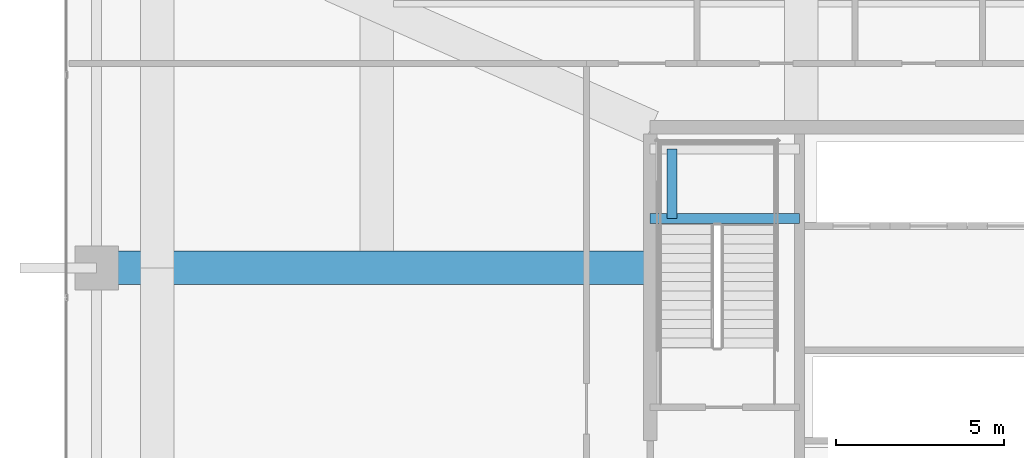
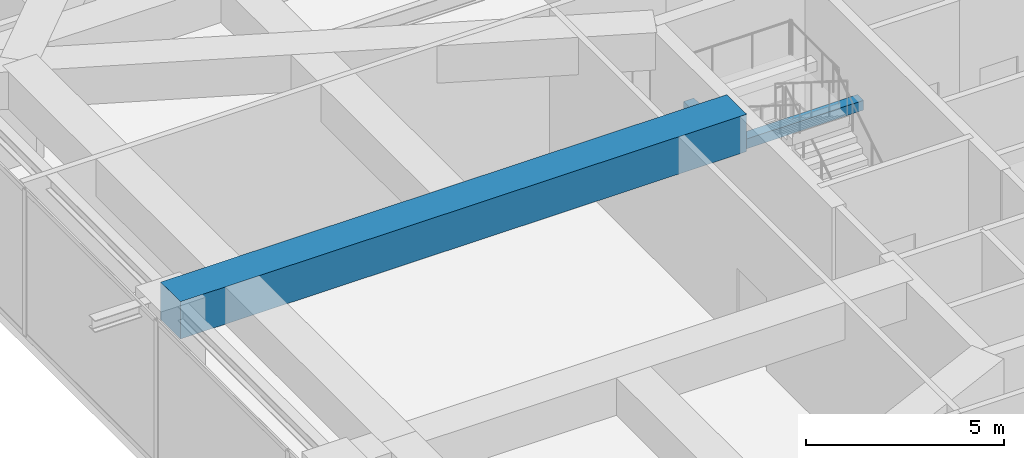
# One storey, part 10 of 35: 3 beams.
"""IFC4 building model written with IfcOpenShell, lengths in metres."""

from ifc_helpers import new_model, si_unit, direction, frame, origin, origin_2d, place, context, subcontext, project, spatial, rectangle, extrude, source, transform, mapped, material, material_profile, profile_set, type_object, element, save


model = new_model("IFC4")

# Units and contexts
model_context = context("Model", 3, precision=1e-05, world=origin(), true_north=direction((0.0, 1.0)))
body_context = subcontext(model_context, "Body", "Model", "MODEL_VIEW")
ifc_project = project(units=[si_unit("LENGTHUNIT", "METRE"), si_unit("AREAUNIT", "SQUARE_METRE"), si_unit("VOLUMEUNIT", "CUBIC_METRE"), si_unit("PLANEANGLEUNIT", "RADIAN"), si_unit("MASSUNIT", "GRAM", prefix="KILO")], contexts=[model_context])

# Site, building, storey
site_placement = place(None, origin())
site = spatial("IfcSite", under=ifc_project, at=site_placement, CompositionType="ELEMENT")
building_placement = place(site_placement, origin())
building = spatial("IfcBuilding", under=site, at=building_placement, Name="Serunith Strait Residences", CompositionType="ELEMENT")
storey_placement = place(building_placement, frame((0.0, 0.0, 115.199951171875)))
storey = spatial("IfcBuildingStorey", under=building, at=storey_placement, Name="L28", CompositionType="ELEMENT", Elevation=115.199951171875)

# Beams
ifc_material_1 = material(Name="Concrete C80/95", Category="concrete")
ifc_material_profile_1 = material_profile(ifc_material_1, rectangle(XDim=1.0, YDim=1.14990234375, at=origin_2d()), Name="RC 1000x1150")
ifc_profile_set_1 = profile_set([ifc_material_profile_1], Name="Concrete C80/95")
beam_type_1 = type_object("IfcBeamType", Name="BM-XFER-1000x1150", PredefinedType="BEAM", material=ifc_profile_set_1)
shared_shape_1 = source(origin(), body_context, "Body", "SweptSolid", [
    extrude(rectangle(XDim=1.0, YDim=1.14990234375, at=origin_2d()), origin(), (0.0, 0.0, 1.0), 16.5),
])
beam_1_placement = place(storey_placement, frame((23.39990234375, 29.39990234375, 3.93505859375), z_axis=(-1.0, 0.0, 0.0), x_axis=(0.0, -1.0, 0.0)))
element("IfcBeam", 1, at=beam_1_placement, inside=storey, type_object=beam_type_1, Name="L28 Primary Floor Girder TC-W3", PredefinedType="BEAM", context=body_context, shape_type="MappedRepresentation", body=[
    mapped(shared_shape_1, transform((0.0, 0.0, 0.0), scale=1.0)),
])
ifc_material_2 = material(Name="Concrete C60/75", Category="concrete")
ifc_material_profile_2 = material_profile(ifc_material_2, rectangle(XDim=0.300048828125, YDim=0.300048828125, at=origin_2d()), Name="RC 300x300")
ifc_profile_set_2 = profile_set([ifc_material_profile_2], Name="Concrete C60/75")
beam_type_2 = type_object("IfcBeamType", Name="BM-LAND-300x300", PredefinedType="BEAM", material=ifc_profile_set_2)
shared_shape_2 = source(origin(), body_context, "Body", "SweptSolid", [
    extrude(rectangle(XDim=0.300048828125, YDim=0.300048828125, at=origin_2d()), origin(), (0.0, 0.0, 1.0), 4.4501953125),
])
beam_2_placement = place(storey_placement, frame((23.39990234375, 30.8701171875, 2.125), z_axis=(1.0, 0.0, 0.0), x_axis=(0.0, 1.0, 0.0)))
element("IfcBeam", 2, at=beam_2_placement, inside=storey, type_object=beam_type_2, Name="L28 ST-1 Landing Support Beam 1", PredefinedType="BEAM", context=body_context, shape_type="MappedRepresentation", body=[
    mapped(shared_shape_2, transform((0.0, 0.0, 0.0), scale=1.0)),
])
shared_shape_3 = source(origin(), body_context, "Body", "SweptSolid", [
    extrude(rectangle(XDim=0.300048828125, YDim=0.300048828125, at=origin_2d()), origin(), (0.0, 0.0, 1.0), 2.079833984375),
])
beam_3_placement = place(storey_placement, frame((24.050048828125, 30.8701171875, 2.125), z_axis=(0.0, 1.0, 0.0), x_axis=(-1.0, 0.0, 0.0)))
element("IfcBeam", 3, at=beam_3_placement, inside=storey, type_object=beam_type_2, Name="L28 ST-1 Landing Transverse Tie Beam", PredefinedType="BEAM", context=body_context, shape_type="MappedRepresentation", body=[
    mapped(shared_shape_3, transform((0.0, 0.0, 0.0), scale=1.0)),
])

save(model, "model.ifc")
